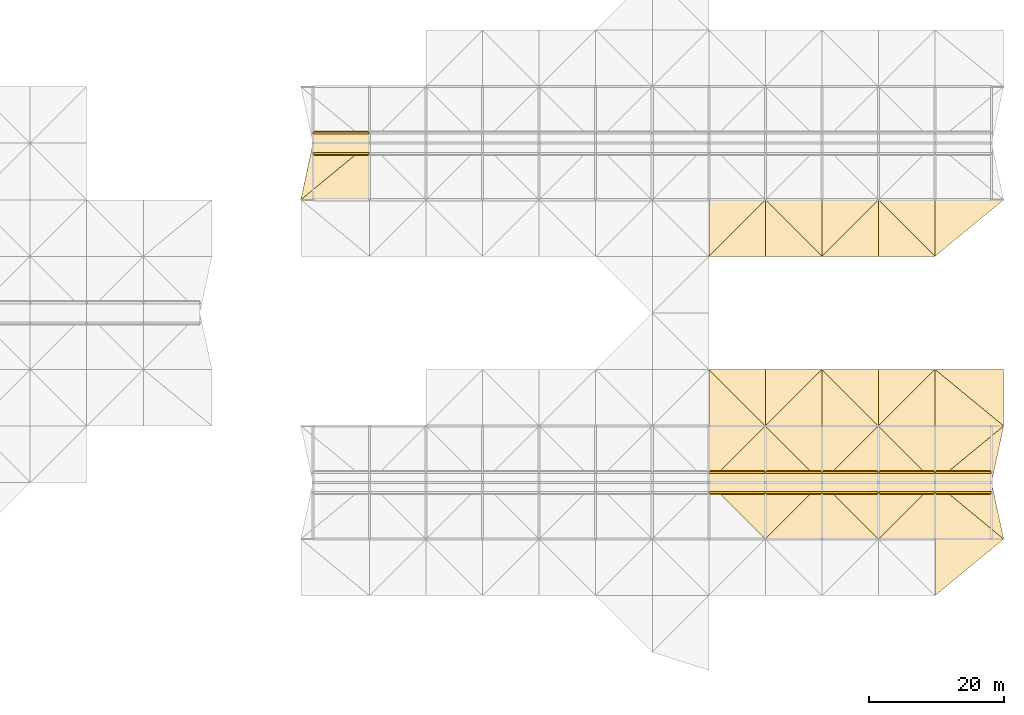
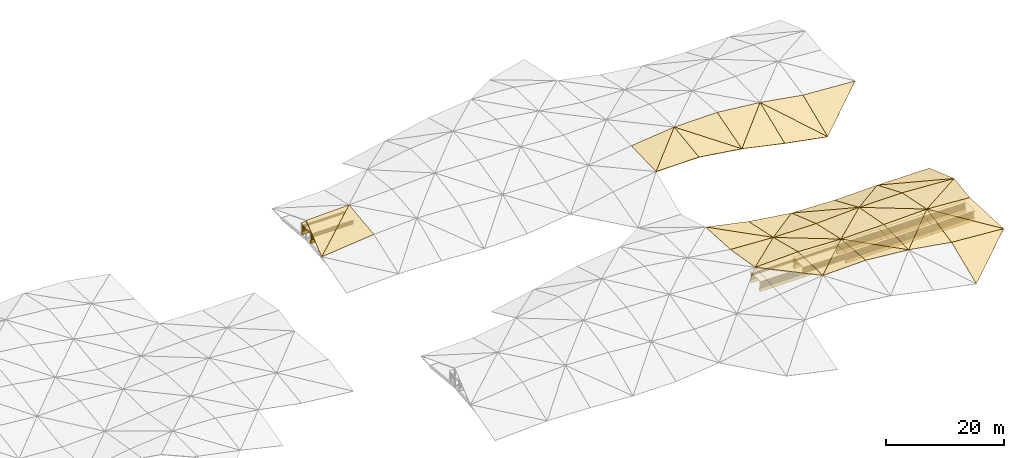
# One storey, part 44 of 46: 59 coverings, 48 shading devices.
"""IFC4 building model written with IfcOpenShell, lengths in metres."""

import ifcopenshell
import ifcopenshell.guid

model = None  # the IFC model being written
_history = None  # IfcOwnerHistory: only IFC2X3 demands one
_inside = {}  # id of a spatial element -> (the spatial element, [elements in it])
_under = {}  # id of a project, library or spatial element -> (it, [spatial elements below it])
_declared = {}  # id of a project -> (the project, [libraries it declares])
_typed = {}  # id of a type object -> (the type object, [elements of that type])
_made_of = {}  # id of a material, layer set ... -> (it, [elements and type objects made of it])


def new_model(schema):
    """Start an empty IFC model of exactly this schema.

    Asked for "IFC4X3", IfcOpenShell would pick the latest addendum, in which some entities
    have other attributes; the version numbers below select the first issue.
    IFC2X3 requires an IfcOwnerHistory on every rooted entity: one is made here for all.
    """
    global model, _history
    if schema == "IFC4X3":
        model = ifcopenshell.file(schema_version=(4, 3, 0, 0))
    else:
        model = ifcopenshell.file(schema=schema)
    _inside.clear()
    _under.clear()
    _declared.clear()
    _typed.clear()
    _made_of.clear()
    _history = None
    if model.schema == "IFC2X3":
        org = make("IfcOrganization", Name="unknown")
        user = make(
            "IfcPersonAndOrganization",
            ThePerson=make("IfcPerson", FamilyName="unknown"),
            TheOrganization=org,
        )
        app = make(
            "IfcApplication",
            ApplicationDeveloper=org,
            Version="unknown",
            ApplicationFullName="unknown",
            ApplicationIdentifier="unknown",
        )
        _history = make(
            "IfcOwnerHistory",
            OwningUser=user,
            OwningApplication=app,
            ChangeAction="ADDED",
            CreationDate=0,
        )
    return model


def make(cls, **values):
    """One entity of the class cls with the attributes given. An attribute that is None is left unset."""
    return model.create_entity(
        cls, **{name: value for name, value in values.items() if value is not None}
    )


def rooted(cls, **values):
    """An entity with a GlobalId (a new one), such as an element, a storey or a relation."""
    return make(cls, GlobalId=ifcopenshell.guid.new(), OwnerHistory=_history, **values)


def si_unit(unit_type, name, prefix=None):
    """IfcSIUnit, for example si_unit("LENGTHUNIT", "METRE", prefix="MILLI")."""
    return make("IfcSIUnit", UnitType=unit_type, Prefix=prefix, Name=name)


def assignment(units):
    """IfcUnitAssignment: the units of a project."""
    return None if units is None else make("IfcUnitAssignment", Units=units)


def point(xyz):
    """IfcCartesianPoint."""
    return None if xyz is None else make("IfcCartesianPoint", Coordinates=xyz)


def direction(xyz):
    """IfcDirection."""
    return None if xyz is None else make("IfcDirection", DirectionRatios=xyz)


def frame(location, z_axis=None, x_axis=None):
    """IfcAxis2Placement3D, a coordinate frame: its origin and axes. An axis left out is left unset."""
    return make(
        "IfcAxis2Placement3D",
        Location=point(location),
        Axis=direction(z_axis),
        RefDirection=direction(x_axis),
    )


def frame_2d(location, x_axis=None):
    """IfcAxis2Placement2D, a coordinate frame in the plane: its origin and x axis."""
    return make(
        "IfcAxis2Placement2D", Location=point(location), RefDirection=direction(x_axis)
    )


def origin():
    """The frame at (0, 0, 0) with its axes left unset."""
    return frame((0.0, 0.0, 0.0))


def origin_2d():
    """The frame at (0, 0) in the plane with its x axis left unset."""
    return frame_2d((0.0, 0.0))


def place(relative_to, where):
    """IfcLocalPlacement: puts the frame where relative to a parent placement (None: the world)."""
    return make(
        "IfcLocalPlacement", PlacementRelTo=relative_to, RelativePlacement=where
    )


def context(
    kind, dimensions, precision=None, world=None, true_north=None, identifier=None
):
    """IfcGeometricRepresentationContext, for example the 3D "Model" context."""
    return make(
        "IfcGeometricRepresentationContext",
        ContextIdentifier=identifier,
        ContextType=kind,
        CoordinateSpaceDimension=dimensions,
        Precision=precision,
        WorldCoordinateSystem=world,
        TrueNorth=true_north,
    )


def subcontext(parent, identifier, kind, view, scale=None):
    """IfcGeometricRepresentationSubContext, for example "Body" below "Model"."""
    return make(
        "IfcGeometricRepresentationSubContext",
        ContextIdentifier=identifier,
        ContextType=kind,
        ParentContext=parent,
        TargetScale=scale,
        TargetView=view,
    )


def project(units=None, contexts=None):
    """IfcProject with its units and contexts."""
    return rooted(
        "IfcProject",
        Name="project",
        RepresentationContexts=contexts,
        UnitsInContext=assignment(units),
    )


def spatial(cls, under=None, at=None, **own):
    """A site, building, storey or space (cls), placed at a placement, below another one or the project."""
    s = rooted(cls, ObjectPlacement=at, **own)
    if under is not None:
        _under.setdefault(under.id(), (under, []))[1].append(s)
    return s


def polyline(points):
    """IfcPolyline through the points."""
    return make("IfcPolyline", Points=[point(p) for p in points])


def profile(cls, at=None, kind="AREA", **sizes):
    """A parametric profile (cls). Its sizes go by their IFC names, for example OverallWidth=200.0."""
    return make(cls, ProfileType=kind, Position=at, **sizes)


def rectangle(**sizes):
    """IfcRectangleProfileDef."""
    return profile("IfcRectangleProfileDef", **sizes)


def outline(outer, holes=None, kind="AREA"):
    """IfcArbitraryClosedProfileDef: a profile drawn as a closed curve; with holes, ...WithVoids."""
    if holes is None:
        return make("IfcArbitraryClosedProfileDef", ProfileType=kind, OuterCurve=outer)
    return make(
        "IfcArbitraryProfileDefWithVoids",
        ProfileType=kind,
        OuterCurve=outer,
        InnerCurves=holes,
    )


def extrude(swept, where, along, depth):
    """IfcExtrudedAreaSolid: the profile swept, set in the frame where, extruded along a direction by depth."""
    return make(
        "IfcExtrudedAreaSolid",
        SweptArea=swept,
        Position=where,
        ExtrudedDirection=direction(along),
        Depth=depth,
    )


def shape(context_of_items, identifier, shape_type, items):
    """IfcShapeRepresentation: the items that make up one representation, for example the "Body"."""
    return make(
        "IfcShapeRepresentation",
        ContextOfItems=context_of_items,
        RepresentationIdentifier=identifier,
        RepresentationType=shape_type,
        Items=items,
    )


def material(Name=None, Category=None):
    """IfcMaterial."""
    return make("IfcMaterial", Name=Name, Category=Category)


def layer(
    of_material, thickness, ventilated=None, Name=None, Category=None, Priority=None
):
    """IfcMaterialLayer: one layer of a wall or slab, of a material (None: an air gap)."""
    return make(
        "IfcMaterialLayer",
        Material=of_material,
        LayerThickness=thickness,
        IsVentilated=ventilated,
        Name=Name,
        Category=Category,
        Priority=Priority,
    )


def layer_set(layers, Name=None):
    """IfcMaterialLayerSet."""
    return make("IfcMaterialLayerSet", MaterialLayers=layers, LayerSetName=Name)


def made_of(thing, what):
    """Note that an element or type object is made of a material, layer set ...; save() writes the relation."""
    if what is not None:
        _made_of.setdefault(what.id(), (what, []))[1].append(thing)
    return thing


def type_object(cls, material=None, **own):
    """A type object (cls), such as IfcWallType, which elements share."""
    return made_of(rooted(cls, **own), material)


def element(
    cls,
    number,
    at=None,
    inside=None,
    cuts=None,
    type_object=None,
    material=None,
    context=None,
    identifier="Body",
    shape_type=None,
    held_by="IfcProductDefinitionShape",
    body=None,
    shapes=None,
    **own,
):
    """One element of the class cls, such as IfcWall. Its Tag is "e" and its number.

    at: its placement. inside: the storey or other place that contains it. cuts: it is an
    opening in that element (IfcRelVoidsElement). A single representation is given by context,
    identifier, shape_type and body (its items); several are given by shapes. held_by: the class
    of the entity that holds the representations. save() writes the other relations.
    """
    e = rooted(cls, Tag="e%d" % number, ObjectPlacement=at, **own)
    if body is not None:
        shapes = [shape(context, identifier, shape_type, body)]
    if shapes is not None:
        e.Representation = make(held_by, Representations=shapes)
    if inside is not None:
        _inside.setdefault(inside.id(), (inside, []))[1].append(e)
    if cuts is not None:
        rooted(
            "IfcRelVoidsElement", RelatingBuildingElement=cuts, RelatedOpeningElement=e
        )
    if type_object is not None:
        _typed.setdefault(type_object.id(), (type_object, []))[1].append(e)
    return made_of(e, material)


def aggregate(whole, parts):
    """IfcRelAggregates: a whole, such as a stair, and the parts it consists of."""
    return rooted("IfcRelAggregates", RelatingObject=whole, RelatedObjects=parts)


def save(model, path):
    """Write the relations noted so far, then the file.

    IfcRelAggregates (storeys below a building ...), IfcRelContainedInSpatialStructure (elements
    in a storey), IfcRelDefinesByType, IfcRelAssociatesMaterial and IfcRelDeclares: one each for
    every whole, place, type object, material and project.
    """
    for whole, parts in _under.values():
        aggregate(whole, parts)
    for where, things in _inside.values():
        rooted(
            "IfcRelContainedInSpatialStructure",
            RelatedElements=things,
            RelatingStructure=where,
        )
    for kind, things in _typed.values():
        rooted("IfcRelDefinesByType", RelatedObjects=things, RelatingType=kind)
    for what, things in _made_of.values():
        rooted("IfcRelAssociatesMaterial", RelatedObjects=things, RelatingMaterial=what)
    for by, libraries in _declared.values():
        rooted("IfcRelDeclares", RelatingContext=by, RelatedDefinitions=libraries)
    model.write(path)


model = new_model("IFC4")

# Units and contexts
model_context = context("Model", 3, precision=1e-05, world=origin(), true_north=direction((0.0, 1.0)))
body_context = subcontext(model_context, "Body", "Model", "MODEL_VIEW")
ifc_project = project(units=[si_unit("LENGTHUNIT", "METRE"), si_unit("AREAUNIT", "SQUARE_METRE"), si_unit("VOLUMEUNIT", "CUBIC_METRE"), si_unit("PLANEANGLEUNIT", "RADIAN"), si_unit("MASSUNIT", "GRAM", prefix="KILO")], contexts=[model_context])

# Site, building, storey
site_placement = place(None, origin())
site = spatial("IfcSite", under=ifc_project, at=site_placement, CompositionType="ELEMENT")
building_placement = place(site_placement, origin())
building = spatial("IfcBuilding", under=site, at=building_placement, Name="Rain Tree Exposition and Congress Centre", CompositionType="ELEMENT")
storey_placement = place(building_placement, frame((0.0, 0.0, 27.0)))
storey = spatial("IfcBuildingStorey", under=building, at=storey_placement, Name="ROOF VAULT CREST", CompositionType="ELEMENT", Elevation=27.0)

# Shading devices
ifc_material_1 = material(Name="Aluminium", Category="aluminium")
ifc_layer_1 = layer(ifc_material_1, 0.0400390625)
ifc_layer_set_1 = layer_set([ifc_layer_1], Name="Aluminium")
shading_device_type = type_object("IfcShadingDeviceType", Name="Lantern louvre blade 40", PredefinedType="JALOUSIE", material=ifc_layer_set_1)
for number, where, z_axis, x_axis, name in (
    (1, (205.800048828125, 124.5, 2.14990234375), (0.0, 0.0, 1.0), (1.0, 0.0, 0.0), "Lantern louvre S7.1"),
    (2, (205.800048828125, 124.5, 2.469970703125), (0.0, 0.0, 1.0), (1.0, 0.0, 0.0), "Lantern louvre S7.2"),
    (3, (205.800048828125, 124.5, 2.7900390625), (0.0, 0.0, 1.0), (1.0, 0.0, 0.0), "Lantern louvre S7.3"),
    (4, (205.800048828125, 124.5, 3.10986328125), (0.0, 0.0, 1.0), (1.0, 0.0, 0.0), "Lantern louvre S7.4"),
    (5, (214.199951171875, 124.5, 2.14990234375), (0.0, 0.0, 1.0), (1.0, 0.0, 0.0), "Lantern louvre S8.1"),
    (6, (214.199951171875, 124.5, 2.469970703125), (0.0, 0.0, 1.0), (1.0, 0.0, 0.0), "Lantern louvre S8.2"),
    (7, (214.199951171875, 124.5, 2.7900390625), (0.0, 0.0, 1.0), (1.0, 0.0, 0.0), "Lantern louvre S8.3"),
    (8, (214.199951171875, 124.5, 3.10986328125), (0.0, 0.0, 1.0), (1.0, 0.0, 0.0), "Lantern louvre S8.4"),
    (9, (222.60009765625, 124.5, 2.14990234375), (0.0, 0.0, 1.0), (1.0, 0.0, 0.0), "Lantern louvre S9.1"),
    (10, (222.60009765625, 124.5, 2.469970703125), (0.0, 0.0, 1.0), (1.0, 0.0, 0.0), "Lantern louvre S9.2"),
    (11, (222.60009765625, 124.5, 2.7900390625), (0.0, 0.0, 1.0), (1.0, 0.0, 0.0), "Lantern louvre S9.3"),
    (12, (222.60009765625, 124.5, 3.10986328125), (0.0, 0.0, 1.0), (1.0, 0.0, 0.0), "Lantern louvre S9.4"),
    (13, (231.0, 124.5, 2.14990234375), (0.0, 0.0, 1.0), (1.0, 0.0, 0.0), "Lantern louvre S10.1"),
    (14, (231.0, 124.5, 2.469970703125), (0.0, 0.0, 1.0), (1.0, 0.0, 0.0), "Lantern louvre S10.2"),
    (15, (231.0, 124.5, 2.7900390625), (0.0, 0.0, 1.0), (1.0, 0.0, 0.0), "Lantern louvre S10.3"),
    (16, (231.0, 124.5, 3.10986328125), (0.0, 0.0, 1.0), (1.0, 0.0, 0.0), "Lantern louvre S10.4"),
    (17, (239.39990234375, 124.5, 2.14990234375), (0.0, 0.0, 1.0), (1.0, 0.0, 0.0), "Lantern louvre S11.1"),
    (18, (239.39990234375, 124.5, 2.469970703125), (0.0, 0.0, 1.0), (1.0, 0.0, 0.0), "Lantern louvre S11.2"),
    (19, (239.39990234375, 124.5, 2.7900390625), (0.0, 0.0, 1.0), (1.0, 0.0, 0.0), "Lantern louvre S11.3"),
    (20, (239.39990234375, 124.5, 3.10986328125), (0.0, 0.0, 1.0), (1.0, 0.0, 0.0), "Lantern louvre S11.4"),
    (21, (205.800048828125, 127.5, 2.14990234375), (0.0, 0.0, 1.0), (1.0, 0.0, 0.0), "Lantern louvre N7.1"),
    (22, (205.800048828125, 127.5, 2.469970703125), (0.0, 0.0, 1.0), (1.0, 0.0, 0.0), "Lantern louvre N7.2"),
    (23, (205.800048828125, 127.5, 2.7900390625), (0.0, 0.0, 1.0), (1.0, 0.0, 0.0), "Lantern louvre N7.3"),
    (24, (205.800048828125, 127.5, 3.10986328125), (0.0, 0.0, 1.0), (1.0, 0.0, 0.0), "Lantern louvre N7.4"),
    (25, (214.199951171875, 127.5, 2.14990234375), (0.0, 0.0, 1.0), (1.0, 0.0, 0.0), "Lantern louvre N8.1"),
    (26, (214.199951171875, 127.5, 2.469970703125), (0.0, 0.0, 1.0), (1.0, 0.0, 0.0), "Lantern louvre N8.2"),
    (27, (214.199951171875, 127.5, 2.7900390625), (0.0, 0.0, 1.0), (1.0, 0.0, 0.0), "Lantern louvre N8.3"),
    (28, (214.199951171875, 127.5, 3.10986328125), (0.0, 0.0, 1.0), (1.0, 0.0, 0.0), "Lantern louvre N8.4"),
    (29, (222.60009765625, 127.5, 2.14990234375), (0.0, 0.0, 1.0), (1.0, 0.0, 0.0), "Lantern louvre N9.1"),
    (30, (222.60009765625, 127.5, 2.469970703125), (0.0, 0.0, 1.0), (1.0, 0.0, 0.0), "Lantern louvre N9.2"),
    (31, (222.60009765625, 127.5, 2.7900390625), (0.0, 0.0, 1.0), (1.0, 0.0, 0.0), "Lantern louvre N9.3"),
    (32, (222.60009765625, 127.5, 3.10986328125), (0.0, 0.0, 1.0), (1.0, 0.0, 0.0), "Lantern louvre N9.4"),
    (33, (231.0, 127.5, 2.14990234375), (0.0, 0.0, 1.0), (1.0, 0.0, 0.0), "Lantern louvre N10.1"),
    (34, (231.0, 127.5, 2.469970703125), (0.0, 0.0, 1.0), (1.0, 0.0, 0.0), "Lantern louvre N10.2"),
    (35, (231.0, 127.5, 2.7900390625), (0.0, 0.0, 1.0), (1.0, 0.0, 0.0), "Lantern louvre N10.3"),
    (36, (231.0, 127.5, 3.10986328125), (0.0, 0.0, 1.0), (1.0, 0.0, 0.0), "Lantern louvre N10.4"),
    (37, (239.39990234375, 127.5, 2.14990234375), (0.0, 0.0, 1.0), (1.0, 0.0, 0.0), "Lantern louvre N11.1"),
    (38, (239.39990234375, 127.5, 2.469970703125), (0.0, 0.0, 1.0), (1.0, 0.0, 0.0), "Lantern louvre N11.2"),
    (39, (239.39990234375, 127.5, 2.7900390625), (0.0, 0.0, 1.0), (1.0, 0.0, 0.0), "Lantern louvre N11.3"),
    (40, (239.39990234375, 127.5, 3.10986328125), (0.0, 0.0, 1.0), (1.0, 0.0, 0.0), "Lantern louvre N11.4"),
    (41, (147.0, 174.89990234375, 2.14990234375), (0.0, 0.0, 1.0), (1.0, 0.0, 0.0), "Lantern louvre SR1-0.1"),
    (42, (147.0, 174.89990234375, 2.469970703125), (0.0, 0.0, 1.0), (1.0, 0.0, 0.0), "Lantern louvre SR1-0.2"),
    (43, (147.0, 174.89990234375, 2.7900390625), (0.0, 0.0, 1.0), (1.0, 0.0, 0.0), "Lantern louvre SR1-0.3"),
    (44, (147.0, 174.89990234375, 3.10986328125), (0.0, 0.0, 1.0), (1.0, 0.0, 0.0), "Lantern louvre SR1-0.4"),
    (45, (147.0, 177.89990234375, 2.14990234375), (0.0, 0.0, 1.0), (1.0, 0.0, 0.0), "Lantern louvre NR1-0.1"),
    (46, (147.0, 177.89990234375, 2.469970703125), (0.0, 0.0, 1.0), (1.0, 0.0, 0.0), "Lantern louvre NR1-0.2"),
    (47, (147.0, 177.89990234375, 2.7900390625), (0.0, 0.0, 1.0), (1.0, 0.0, 0.0), "Lantern louvre NR1-0.3"),
    (48, (147.0, 177.89990234375, 3.10986328125), (0.0, 0.0, 1.0), (1.0, 0.0, 0.0), "Lantern louvre NR1-0.4"),
):
    element("IfcShadingDevice", number, at=place(storey_placement, frame(where, z_axis=z_axis, x_axis=x_axis)), inside=storey, type_object=shading_device_type, Name=name, PredefinedType="JALOUSIE", context=body_context, shape_type="SweptSolid", body=[
        extrude(rectangle(XDim=8.300048828125, YDim=0.300048828125, at=origin_2d()), origin(), (0.0, 0.0, 1.0), 0.0400390625),
    ])

# Coverings
ifc_material_2 = material(Name="Aluminium composite", Category="aluminium")
ifc_layer_2 = layer(ifc_material_2, 0.1201171875)
ifc_layer_set_2 = layer_set([ifc_layer_2], Name="Aluminium composite")
covering_type_1 = type_object("IfcCoveringType", Name="Ridge lantern cap 120", PredefinedType="CLADDING", material=ifc_layer_set_2)
for number, where, z_axis, x_axis, name in (
    (49, (205.800048828125, 126.0, 3.3798828125), (0.0, 0.0, 1.0), (1.0, 0.0, 0.0), "Lantern cap 7"),
    (50, (214.199951171875, 126.0, 3.3798828125), (0.0, 0.0, 1.0), (1.0, 0.0, 0.0), "Lantern cap 8"),
    (51, (222.60009765625, 126.0, 3.3798828125), (0.0, 0.0, 1.0), (1.0, 0.0, 0.0), "Lantern cap 9"),
    (52, (231.0, 126.0, 3.3798828125), (0.0, 0.0, 1.0), (1.0, 0.0, 0.0), "Lantern cap 10"),
    (53, (239.39990234375, 126.0, 3.3798828125), (0.0, 0.0, 1.0), (1.0, 0.0, 0.0), "Lantern cap 11"),
    (54, (147.0, 176.39990234375, 3.3798828125), (0.0, 0.0, 1.0), (1.0, 0.0, 0.0), "Lantern cap R1-0"),
):
    element("IfcCovering", number, at=place(storey_placement, frame(where, z_axis=z_axis, x_axis=x_axis)), inside=storey, type_object=covering_type_1, Name=name, PredefinedType="CLADDING", context=body_context, shape_type="SweptSolid", body=[
        extrude(rectangle(XDim=8.39990234375, YDim=3.60009765625, at=origin_2d()), origin(), (0.0, 0.0, 1.0), 0.1201171875),
    ])
ifc_material_3 = material(Name="Precast concrete C50/60", Category="concrete")
ifc_layer_3 = layer(ifc_material_3, 0.300048828125)
ifc_layer_set_3 = layer_set([ifc_layer_3], Name="Precast concrete C50/60")
covering_type_2 = type_object("IfcCoveringType", Name="Ridge lantern kerb 300", PredefinedType="CLADDING", material=ifc_layer_set_3)
for number, where, z_axis, x_axis, name in (
    (55, (205.800048828125, 124.5, 1.2998046875), (0.0, 0.0, 1.0), (1.0, 0.0, 0.0), "Lantern kerb S7"),
    (56, (214.199951171875, 124.5, 1.2998046875), (0.0, 0.0, 1.0), (1.0, 0.0, 0.0), "Lantern kerb S8"),
    (57, (222.60009765625, 124.5, 1.2998046875), (0.0, 0.0, 1.0), (1.0, 0.0, 0.0), "Lantern kerb S9"),
    (58, (231.0, 124.5, 1.2998046875), (0.0, 0.0, 1.0), (1.0, 0.0, 0.0), "Lantern kerb S10"),
    (59, (239.39990234375, 124.5, 1.2998046875), (0.0, 0.0, 1.0), (1.0, 0.0, 0.0), "Lantern kerb S11"),
    (60, (205.800048828125, 127.5, 1.2998046875), (0.0, 0.0, 1.0), (1.0, 0.0, 0.0), "Lantern kerb N7"),
    (61, (214.199951171875, 127.5, 1.2998046875), (0.0, 0.0, 1.0), (1.0, 0.0, 0.0), "Lantern kerb N8"),
    (62, (222.60009765625, 127.5, 1.2998046875), (0.0, 0.0, 1.0), (1.0, 0.0, 0.0), "Lantern kerb N9"),
    (63, (231.0, 127.5, 1.2998046875), (0.0, 0.0, 1.0), (1.0, 0.0, 0.0), "Lantern kerb N10"),
    (64, (239.39990234375, 127.5, 1.2998046875), (0.0, 0.0, 1.0), (1.0, 0.0, 0.0), "Lantern kerb N11"),
    (65, (147.0, 174.89990234375, 1.2998046875), (0.0, 0.0, 1.0), (1.0, 0.0, 0.0), "Lantern kerb SR1-0"),
    (66, (147.0, 177.89990234375, 1.2998046875), (0.0, 0.0, 1.0), (1.0, 0.0, 0.0), "Lantern kerb NR1-0"),
):
    element("IfcCovering", number, at=place(storey_placement, frame(where, z_axis=z_axis, x_axis=x_axis)), inside=storey, type_object=covering_type_2, Name=name, PredefinedType="CLADDING", context=body_context, shape_type="SweptSolid", body=[
        extrude(rectangle(XDim=8.39990234375, YDim=0.300048828125, at=origin_2d()), origin(), (0.0, 0.0, 1.0), 0.699951171875),
    ])
ifc_material_4 = material(Name="Aluminium composite cladding", Category="aluminium")
ifc_layer_4 = layer(ifc_material_4, 0.10009765625)
ifc_layer_set_4 = layer_set([ifc_layer_4], Name="Aluminium composite cladding")
covering_type_3 = type_object("IfcCoveringType", Name="Triangular aluminium roof skin facet 100", PredefinedType="CLADDING", material=ifc_layer_set_4)
covering_1_placement = place(storey_placement, frame((235.199951171875, 109.199951171875, 0.384033203125), z_axis=(0.066973056181, -0.385158898869, 0.920416879663), x_axis=(0.755467562643, 0.622163585243, 0.205380707449)))
element("IfcCovering", 67, at=covering_1_placement, inside=storey, type_object=covering_type_3, Name="Roof skin facet B48", PredefinedType="CLADDING", context=body_context, shape_type="SweptSolid", body=[
    extrude(outline(polyline([(0.0, 0.0), (13.50150777644327, -6.661338147750939e-16), (5.948206519358914, 6.894743382716889), (0.0, 0.0)])), origin(), (0.0, 0.0, -1.0), 0.10009765625),
])
covering_2_placement = place(storey_placement, frame((210.0, 117.60009765625, 5.8515625), z_axis=(-0.032963387984, 0.020765482298, 0.999240816719), x_axis=(0.0, 0.999784139549, -0.020776773231)))
element("IfcCovering", 68, at=covering_2_placement, inside=storey, type_object=covering_type_3, Name="Roof skin facet B64", PredefinedType="CLADDING", context=body_context, shape_type="SweptSolid", body=[
    extrude(outline(polyline([(0.0, 0.0), (8.401715941940791, 0.0), (8.407473177687109, 8.404469669901191), (0.0, 0.0)])), origin(), (0.0, 0.0, -1.0), 0.10009765625),
])
covering_3_placement = place(storey_placement, frame((210.0, 117.60009765625, 5.8515625), z_axis=(-0.024812612161, 0.08405019032, 0.996152548451), x_axis=(0.99968992893, 0.0, 0.024900722813)))
element("IfcCovering", 69, at=covering_3_placement, inside=storey, type_object=covering_type_3, Name="Roof skin facet B65", PredefinedType="CLADDING", context=body_context, shape_type="SweptSolid", body=[
    extrude(outline(polyline([(0.0, 0.0), (8.402507718311682, 3.469446951953614e-18), (8.384859574189322, 8.42973075770322), (0.0, 0.0)])), origin(), (0.0, 0.0, -1.0), 0.10009765625),
])
covering_4_placement = place(storey_placement, frame((210.0, 117.60009765625, 5.8515625), z_axis=(0.038647866761, 0.02076125074, 0.999037192933), x_axis=(0.706482482458, 0.706482482458, -0.042011950215)))
element("IfcCovering", 70, at=covering_4_placement, inside=storey, type_object=covering_type_3, Name="Roof skin facet B66", PredefinedType="CLADDING", context=body_context, shape_type="SweptSolid", body=[
    extrude(outline(polyline([(0.0, 0.0), (11.889753181889105, -4.0419056990259605e-16), (5.941717489219378, 5.940103033396529), (0.0, 0.0)])), origin(), (0.0, 0.0, -1.0), 0.10009765625),
])
covering_5_placement = place(storey_placement, frame((218.39990234375, 117.60009765625, 6.060791015625), z_axis=(0.0921652327, 0.083718224954, 0.99221813564), x_axis=(0.99571362068, 0.0, -0.092489921577)))
element("IfcCovering", 71, at=covering_5_placement, inside=storey, type_object=covering_type_3, Name="Roof skin facet B67", PredefinedType="CLADDING", context=body_context, shape_type="SweptSolid", body=[
    extrude(outline(polyline([(0.0, 0.0), (8.436307699238201, 0.0), (0.06555132869564179, 8.429494357769327), (0.0, 0.0)])), origin(), (0.0, 0.0, -1.0), 0.10009765625),
])
covering_6_placement = place(storey_placement, frame((226.800048828125, 117.60009765625, 5.280517578125), z_axis=(-0.008572269936, -0.0170869194, 0.99981725999), x_axis=(0.0, 0.999853997206, 0.017087547241)))
element("IfcCovering", 72, at=covering_6_placement, inside=storey, type_object=covering_type_3, Name="Roof skin facet B68", PredefinedType="CLADDING", context=body_context, shape_type="SweptSolid", body=[
    extrude(outline(polyline([(0.0, 0.0), (8.401128932044786, 2.168404344971009e-19), (8.399898261528197, 8.40045513877786), (0.0, 0.0)])), origin(), (0.0, 0.0, -1.0), 0.10009765625),
])
covering_7_placement = place(storey_placement, frame((226.800048828125, 117.60009765625, 5.280517578125), z_axis=(0.15884153592, -0.204433380093, 0.965907013936), x_axis=(0.98674662963, 0.0, -0.16226857032)))
element("IfcCovering", 73, at=covering_7_placement, inside=storey, type_object=covering_type_3, Name="Roof skin facet B69", PredefinedType="CLADDING", context=body_context, shape_type="SweptSolid", body=[
    extrude(outline(polyline([(0.0, 0.0), (8.512724636211612, 5.551115123125783e-17), (8.224238374230717, 8.581131731451483), (0.0, 0.0)])), origin(), (0.0, 0.0, -1.0), 0.10009765625),
])
covering_8_placement = place(storey_placement, frame((226.800048828125, 117.60009765625, 5.280517578125), z_axis=(-0.030092995657, -0.017079808346, 0.999401166579), x_axis=(0.706713261891, 0.706713261891, 0.033357621848)))
element("IfcCovering", 74, at=covering_8_placement, inside=storey, type_object=covering_type_3, Name="Roof skin facet B70", PredefinedType="CLADDING", context=body_context, shape_type="SweptSolid", body=[
    extrude(outline(polyline([(0.0, 0.0), (11.88587054568123, 1.117595599398058e-15), (5.941111027895789, 5.939879383207626), (0.0, 0.0)])), origin(), (0.0, 0.0, -1.0), 0.10009765625),
])
covering_9_placement = place(storey_placement, frame((235.199951171875, 117.60009765625, 3.899169921875), z_axis=(0.071007185041, -0.206539557786, 0.975858284149), x_axis=(0.997363178643, 0.0, -0.0725719635)))
element("IfcCovering", 75, at=covering_9_placement, inside=storey, type_object=covering_type_3, Name="Roof skin facet B71", PredefinedType="CLADDING", context=body_context, shape_type="SweptSolid", body=[
    extrude(outline(polyline([(0.0, 0.0), (10.22691772694933, 5.551115123125783e-17), (-0.129020761281411, 8.585010178155507), (0.0, 0.0)])), origin(), (0.0, 0.0, -1.0), 0.10009765625),
])
covering_10_placement = place(storey_placement, frame((245.39990234375, 117.60009765625, 3.156982421875), z_axis=(0.064302164692, -0.214317488493, 0.974645189667), x_axis=(-0.204230592584, 0.953168443902, 0.223069008612)))
element("IfcCovering", 76, at=covering_10_placement, inside=storey, type_object=covering_type_3, Name="Roof skin facet B72", PredefinedType="CLADDING", context=body_context, shape_type="SweptSolid", body=[
    extrude(outline(polyline([(0.0, 0.0), (8.812610611999222, -2.5673907444456745e-16), (10.651802176594881, 8.215045472895506), (0.0, 0.0)])), origin(), (0.0, 0.0, -1.0), 0.10009765625),
])
covering_11_placement = place(storey_placement, frame((201.60009765625, 126.0, 5.39990234375), z_axis=(-0.031958186529, 0.245895015825, 0.968769485227), x_axis=(0.999456325364, 0.0, 0.032970497276)))
element("IfcCovering", 77, at=covering_11_placement, inside=storey, type_object=covering_type_3, Name="Roof skin facet B87", PredefinedType="CLADDING", context=body_context, shape_type="SweptSolid", body=[
    extrude(outline(polyline([(0.0, 0.0), (8.40447164181381, 0.0), (8.334175901405178, 8.665978499451441), (0.0, 0.0)])), origin(), (0.0, 0.0, -1.0), 0.10009765625),
])
covering_12_placement = place(storey_placement, frame((201.60009765625, 126.0, 5.39990234375), z_axis=(0.051693306526, 0.165784956477, 0.984806148573), x_axis=(0.698640350891, 0.698640350891, -0.154283246703)))
element("IfcCovering", 78, at=covering_12_placement, inside=storey, type_object=covering_type_3, Name="Roof skin facet B88", PredefinedType="CLADDING", context=body_context, shape_type="SweptSolid", body=[
    extrude(outline(polyline([(0.0, 0.0), (12.023213851068169, 7.494005416219807e-16), (6.086676874430454, 5.959051666558742), (0.0, 0.0)])), origin(), (0.0, 0.0, -1.0), 0.10009765625),
])
covering_13_placement = place(storey_placement, frame((210.0, 126.0, 5.677001953125), z_axis=(0.037469778608, 0.245847916291, 0.968583923956), x_axis=(0.999252569827, 0.0, -0.038656198641)))
element("IfcCovering", 79, at=covering_13_placement, inside=storey, type_object=covering_type_3, Name="Roof skin facet B89", PredefinedType="CLADDING", context=body_context, shape_type="SweptSolid", body=[
    extrude(outline(polyline([(0.0, 0.0), (8.406185380339865, -1.3877787807814457e-17), (0.08241811101839505, 8.665871687202067), (0.0, 0.0)])), origin(), (0.0, 0.0, -1.0), 0.10009765625),
])
covering_14_placement = place(storey_placement, frame((218.39990234375, 126.0, 5.35205078125), z_axis=(0.008593431038, 0.218522726555, 0.975794020745), x_axis=(0.0, 0.975830052499, -0.218530795632)))
element("IfcCovering", 80, at=covering_14_placement, inside=storey, type_object=covering_type_3, Name="Roof skin facet B90", PredefinedType="CLADDING", context=body_context, shape_type="SweptSolid", body=[
    extrude(outline(polyline([(0.0, 0.0), (8.60795619302477, 0.0), (8.591790462781503, 8.400212514962622), (0.0, 0.0)])), origin(), (0.0, 0.0, -1.0), 0.10009765625),
])
covering_15_placement = place(storey_placement, frame((218.39990234375, 126.0, 5.35205078125), z_axis=(-0.008433189288, 0.180189616942, 0.983595741789), x_axis=(0.999963246688, 0.0, 0.008573521602)))
element("IfcCovering", 81, at=covering_15_placement, inside=storey, type_object=covering_type_3, Name="Roof skin facet B91", PredefinedType="CLADDING", context=body_context, shape_type="SweptSolid", body=[
    extrude(outline(polyline([(0.0, 0.0), (8.400455228924756, -1.734723475976807e-18), (8.387262136478517, 8.539680747545425), (0.0, 0.0)])), origin(), (0.0, 0.0, -1.0), 0.10009765625),
])
covering_16_placement = place(storey_placement, frame((218.39990234375, 126.0, 5.35205078125), z_axis=(-0.048073617084, 0.218278129291, 0.974701793172), x_axis=(0.701787652384, 0.70176725573, -0.122543093426)))
element("IfcCovering", 82, at=covering_16_placement, inside=storey, type_object=covering_type_3, Name="Roof skin facet B92", PredefinedType="CLADDING", context=body_context, shape_type="SweptSolid", body=[
    extrude(outline(polyline([(0.0, 0.0), (11.969641323615516, 1.4432899320127035e-15), (6.125292660036109, 6.047950036991151), (0.0, 0.0)])), origin(), (0.0, 0.0, -1.0), 0.10009765625),
])
covering_17_placement = place(storey_placement, frame((226.800048828125, 126.0, 5.424072265625), z_axis=(-0.029605148831, 0.180117039657, 0.983199566308), x_axis=(0.999546971061, 0.0, 0.03009738598)))
element("IfcCovering", 83, at=covering_17_placement, inside=storey, type_object=covering_type_3, Name="Roof skin facet B93", PredefinedType="CLADDING", context=body_context, shape_type="SweptSolid", body=[
    extrude(outline(polyline([(0.0, 0.0), (8.403709467333792, -6.938893903907228e-18), (-0.04631441011483056, 8.539565346263359), (0.0, 0.0)])), origin(), (0.0, 0.0, -1.0), 0.10009765625),
])
covering_18_placement = place(storey_placement, frame((235.199951171875, 126.0, 5.677001953125), z_axis=(-0.007259035492, 0.201658852657, 0.979428922152), x_axis=(0.0, 0.979454727988, -0.201664165932)))
element("IfcCovering", 84, at=covering_18_placement, inside=storey, type_object=covering_type_3, Name="Roof skin facet B94", PredefinedType="CLADDING", context=body_context, shape_type="SweptSolid", body=[
    extrude(outline(polyline([(0.0, 0.0), (8.576100664705393, -1.734723475976807e-18), (8.588655440660657, 8.400123663028063), (0.0, 0.0)])), origin(), (0.0, 0.0, -1.0), 0.10009765625),
])
covering_19_placement = place(storey_placement, frame((235.199951171875, 126.0, 5.677001953125), z_axis=(0.064594349612, 0.192981447103, 0.97907391502), x_axis=(0.997830732242, 0.0, -0.065831829633)))
element("IfcCovering", 85, at=covering_19_placement, inside=storey, type_object=covering_type_3, Name="Roof skin facet B95", PredefinedType="CLADDING", context=body_context, shape_type="SweptSolid", body=[
    extrude(outline(polyline([(0.0, 0.0), (8.418408265997842, -2.7755575615628914e-17), (10.331121619480312, 8.560825263389699), (0.0, 0.0)])), origin(), (0.0, 0.0, -1.0), 0.10009765625),
])
covering_20_placement = place(storey_placement, frame((235.199951171875, 126.0, 5.677001953125), z_axis=(0.057435890315, 0.201331258057, 0.977837840868), x_axis=(0.760217655535, 0.626057317225, -0.173555039577)))
element("IfcCovering", 86, at=covering_20_placement, inside=storey, type_object=covering_type_3, Name="Roof skin facet B96", PredefinedType="CLADDING", context=body_context, shape_type="SweptSolid", body=[
    extrude(outline(polyline([(0.0, 0.0), (13.41714586291678, 5.551115123125783e-16), (5.55898241132731, 6.5304836851273045), (0.0, 0.0)])), origin(), (0.0, 0.0, -1.0), 0.10009765625),
])
covering_21_placement = place(storey_placement, frame((201.60009765625, 134.39990234375, 3.98583984375), z_axis=(0.052343442274, 0.053559174948, 0.997191846552), x_axis=(0.998625195951, 0.0, -0.052418679994)))
element("IfcCovering", 87, at=covering_21_placement, inside=storey, type_object=covering_type_3, Name="Roof skin facet B111", PredefinedType="CLADDING", context=body_context, shape_type="SweptSolid", body=[
    extrude(outline(polyline([(0.0, 0.0), (8.411466461902073, 3.469446951953614e-18), (0.023649834138094534, 8.412220735637762), (0.0, 0.0)])), origin(), (0.0, 0.0, -1.0), 0.10009765625),
])
covering_22_placement = place(storey_placement, frame((210.0, 134.39990234375, 3.544921875), z_axis=(0.20373425148, 0.204896943926, 0.957345077359), x_axis=(0.0, 0.977854372179, -0.209286470681)))
element("IfcCovering", 88, at=covering_22_placement, inside=storey, type_object=covering_type_3, Name="Roof skin facet B112", PredefinedType="CLADDING", context=body_context, shape_type="SweptSolid", body=[
    extrude(outline(polyline([(0.0, 0.0), (8.590385975015405, 0.0), (8.21626597054091, 8.579854252108206), (0.0, 0.0)])), origin(), (0.0, 0.0, -1.0), 0.10009765625),
])
covering_23_placement = place(storey_placement, frame((210.0, 134.39990234375, 3.544921875), z_axis=(0.008319293876, 0.327929894748, 0.944665429387), x_axis=(0.999961224123, 0.0, -0.008806262016)))
element("IfcCovering", 89, at=covering_23_placement, inside=storey, type_object=covering_type_3, Name="Roof skin facet B113", PredefinedType="CLADDING", context=body_context, shape_type="SweptSolid", body=[
    extrude(outline(polyline([(0.0, 0.0), (8.40022806996149, -3.469446951953614e-18), (8.425907267596866, 8.89184731442295), (0.0, 0.0)])), origin(), (0.0, 0.0, -1.0), 0.10009765625),
])
covering_24_placement = place(storey_placement, frame((210.0, 134.39990234375, 3.544921875), z_axis=(0.137462506159, 0.207299708125, 0.968571572168), x_axis=(0.685710056329, 0.685729986284, -0.244082167641)))
element("IfcCovering", 90, at=covering_24_placement, inside=storey, type_object=covering_type_3, Name="Roof skin facet B114", PredefinedType="CLADDING", context=body_context, shape_type="SweptSolid", body=[
    extrude(outline(polyline([(0.0, 0.0), (12.249933140436005, -1.942890293094024e-16), (6.199055839988503, 5.946968798677677), (0.0, 0.0)])), origin(), (0.0, 0.0, -1.0), 0.10009765625),
])
covering_25_placement = place(storey_placement, frame((218.39990234375, 134.39990234375, 3.470947265625), z_axis=(-0.046543300287, 0.327585844799, 0.943674327025), x_axis=(0.998785916355, 0.0, 0.04926147877)))
element("IfcCovering", 91, at=covering_25_placement, inside=storey, type_object=covering_type_3, Name="Roof skin facet B115", PredefinedType="CLADDING", context=body_context, shape_type="SweptSolid", body=[
    extrude(outline(polyline([(0.0, 0.0), (8.410357361695379, -2.7755575615628914e-17), (-0.143647241805219, 8.890724017430951), (0.0, 0.0)])), origin(), (0.0, 0.0, -1.0), 0.10009765625),
])
covering_26_placement = place(storey_placement, frame((226.800048828125, 134.39990234375, 3.88525390625), z_axis=(0.032139648866, 0.395971142796, 0.917700330742), x_axis=(0.0, 0.918174670757, -0.396175811958)))
element("IfcCovering", 92, at=covering_26_placement, inside=storey, type_object=covering_type_3, Name="Roof skin facet B116", PredefinedType="CLADDING", context=body_context, shape_type="SweptSolid", body=[
    extrude(outline(polyline([(0.0, 0.0), (9.148745605727255, 1.3877787807814457e-17), (9.032194860265855, 8.404488343559057), (0.0, 0.0)])), origin(), (0.0, 0.0, -1.0), 0.10009765625),
])
covering_27_placement = place(storey_placement, frame((226.800048828125, 134.39990234375, 3.88525390625), z_axis=(-0.006840322446, 0.384897780816, 0.922933859121), x_axis=(0.99997253598, 0.0, 0.007411294445)))
element("IfcCovering", 93, at=covering_27_placement, inside=storey, type_object=covering_type_3, Name="Roof skin facet B117", PredefinedType="CLADDING", context=body_context, shape_type="SweptSolid", body=[
    extrude(outline(polyline([(0.0, 0.0), (8.400133045170373, 3.469446951953614e-18), (8.374169992438091, 9.10131934111261), (0.0, 0.0)])), origin(), (0.0, 0.0, -1.0), 0.10009765625),
])
covering_28_placement = place(storey_placement, frame((226.800048828125, 134.39990234375, 3.88525390625), z_axis=(-0.020064185234, 0.39609605938, 0.917989836662), x_axis=(0.679179006842, 0.679198746974, -0.278217430751)))
element("IfcCovering", 94, at=covering_28_placement, inside=storey, type_object=covering_type_3, Name="Roof skin facet B118", PredefinedType="CLADDING", context=body_context, shape_type="SweptSolid", body=[
    extrude(outline(polyline([(0.0, 0.0), (12.367729654676362, -4.440892098500626e-16), (6.713771304707771, 6.214887048563012), (0.0, 0.0)])), origin(), (0.0, 0.0, -1.0), 0.10009765625),
])
covering_29_placement = place(storey_placement, frame((235.199951171875, 134.39990234375, 3.947509765625), z_axis=(0.054132739359, 0.384342415595, 0.921602166938), x_axis=(0.998279395558, 0.0, -0.058636579064)))
element("IfcCovering", 95, at=covering_29_placement, inside=storey, type_object=covering_type_3, Name="Roof skin facet B119", PredefinedType="CLADDING", context=body_context, shape_type="SweptSolid", body=[
    extrude(outline(polyline([(0.0, 0.0), (10.217531501963201, 2.7755575615628914e-17), (0.2054141291464925, 9.099038018634971), (0.0, 0.0)])), origin(), (0.0, 0.0, -1.0), 0.10009765625),
])
covering_30_placement = place(storey_placement, frame((245.39990234375, 134.39990234375, 3.348388671875), z_axis=(0.003659347054, 0.330703719624, 0.943727534305), x_axis=(0.0, 0.943733853012, -0.330705933844)))
element("IfcCovering", 96, at=covering_30_placement, inside=storey, type_object=covering_type_3, Name="Roof skin facet B120", PredefinedType="CLADDING", context=body_context, shape_type="SweptSolid", body=[
    extrude(outline(polyline([(0.0, 0.0), (8.900969757063415, -1.734723475976807e-18), (8.88789007901588, 10.200019465420342), (0.0, 0.0)])), origin(), (0.0, 0.0, -1.0), 0.10009765625),
])
covering_31_placement = place(storey_placement, frame((201.60009765625, 159.60009765625, 4.819580078125), z_axis=(-0.007373978134, -0.133278893855, 0.991051139397), x_axis=(0.999972320163, 0.0, 0.007440356739)))
element("IfcCovering", 97, at=covering_31_placement, inside=storey, type_object=covering_type_3, Name="Roof skin facet B183", PredefinedType="CLADDING", context=body_context, shape_type="SweptSolid", body=[
    extrude(outline(polyline([(0.0, 0.0), (8.400134858116074, 0.0), (8.408539772820982, 8.475516047471155), (0.0, 0.0)])), origin(), (0.0, 0.0, -1.0), 0.10009765625),
])
covering_32_placement = place(storey_placement, frame((201.60009765625, 159.60009765625, 4.819580078125), z_axis=(-0.110554670669, -0.030432129247, 0.993404021686), x_axis=(0.70357279554, 0.70357279554, 0.099853105872)))
element("IfcCovering", 98, at=covering_32_placement, inside=storey, type_object=covering_type_3, Name="Roof skin facet B184", PredefinedType="CLADDING", context=body_context, shape_type="SweptSolid", body=[
    extrude(outline(polyline([(0.0, 0.0), (11.93892429752586, -8.743006318923108e-16), (5.935637396712887, 5.9491834593358695), (0.0, 0.0)])), origin(), (0.0, 0.0, -1.0), 0.10009765625),
])
covering_33_placement = place(storey_placement, frame((210.0, 159.60009765625, 4.882080078125), z_axis=(0.141717836382, -0.131937309646, 0.981075227072), x_axis=(0.989727361886, 0.0, -0.142967650659)))
element("IfcCovering", 99, at=covering_33_placement, inside=storey, type_object=covering_type_3, Name="Roof skin facet B185", PredefinedType="CLADDING", context=body_context, shape_type="SweptSolid", body=[
    extrude(outline(polyline([(0.0, 0.0), (8.487087118362176, 0.0), (-0.16150178701145484, 8.473981359805105), (0.0, 0.0)])), origin(), (0.0, 0.0, -1.0), 0.10009765625),
])
covering_34_placement = place(storey_placement, frame((218.39990234375, 159.60009765625, 3.668701171875), z_axis=(-0.011691926643, -0.279490065044, 0.96007739396), x_axis=(0.0, 0.96014302253, 0.279509170309)))
element("IfcCovering", 100, at=covering_34_placement, inside=storey, type_object=covering_type_3, Name="Roof skin facet B186", PredefinedType="CLADDING", context=body_context, shape_type="SweptSolid", body=[
    extrude(outline(polyline([(0.0, 0.0), (8.748594893306752, 3.469446951953614e-18), (8.72000252456662, 8.400476540770054), (0.0, 0.0)])), origin(), (0.0, 0.0, -1.0), 0.10009765625),
])
covering_35_placement = place(storey_placement, frame((218.39990234375, 159.60009765625, 3.668701171875), z_axis=(0.197558793284, -0.366429888451, 0.909230256891), x_axis=(0.977198659087, 0.0, -0.212327060637)))
element("IfcCovering", 101, at=covering_35_placement, inside=storey, type_object=covering_type_3, Name="Roof skin facet B187", PredefinedType="CLADDING", context=body_context, shape_type="SweptSolid", body=[
    extrude(outline(polyline([(0.0, 0.0), (8.596150236456413, 1.1102230246251565e-16), (7.877369225032761, 9.02782682886277), (0.0, 0.0)])), origin(), (0.0, 0.0, -1.0), 0.10009765625),
])
covering_36_placement = place(storey_placement, frame((218.39990234375, 159.60009765625, 3.668701171875), z_axis=(0.100671137876, -0.278089195681, 0.955265262241), x_axis=(0.701097305509, 0.70107692892, 0.130206405156)))
element("IfcCovering", 102, at=covering_36_placement, inside=storey, type_object=covering_type_3, Name="Roof skin facet B188", PredefinedType="CLADDING", context=body_context, shape_type="SweptSolid", body=[
    extrude(outline(polyline([(0.0, 0.0), (11.981427425788116, 1.1102230246251565e-15), (6.207373088492743, 6.164935680722798), (0.0, 0.0)])), origin(), (0.0, 0.0, -1.0), 0.10009765625),
])
covering_37_placement = place(storey_placement, frame((226.800048828125, 159.60009765625, 1.843505859375), z_axis=(0.170430843666, -0.368328254095, 0.913940711842), x_axis=(0.983053492351, 0.0, -0.183318932946)))
element("IfcCovering", 103, at=covering_37_placement, inside=storey, type_object=covering_type_3, Name="Roof skin facet B189", PredefinedType="CLADDING", context=body_context, shape_type="SweptSolid", body=[
    extrude(outline(polyline([(0.0, 0.0), (8.544705256740915, 0.0), (-0.6205811338435144, 9.035108325340385), (0.0, 0.0)])), origin(), (0.0, 0.0, -1.0), 0.10009765625),
])
covering_38_placement = place(storey_placement, frame((235.199951171875, 159.60009765625, 0.277099609375), z_axis=(0.154352650038, -0.382625128363, 0.910918915476), x_axis=(0.0, 0.921967945827, 0.387266196393)))
element("IfcCovering", 104, at=covering_38_placement, inside=storey, type_object=covering_type_3, Name="Roof skin facet B190", PredefinedType="CLADDING", context=body_context, shape_type="SweptSolid", body=[
    extrude(outline(polyline([(0.0, 0.0), (9.110839896087345, 0.0), (9.662051303550491, 8.50178932223244), (0.0, 0.0)])), origin(), (0.0, 0.0, -1.0), 0.10009765625),
])
covering_39_placement = place(storey_placement, frame((235.199951171875, 159.60009765625, 0.277099609375), z_axis=(0.058511489318, -0.386602706839, 0.920388370571), x_axis=(0.754226557706, 0.621123505695, 0.212950441004)))
element("IfcCovering", 105, at=covering_39_placement, inside=storey, type_object=covering_type_3, Name="Roof skin facet B192", PredefinedType="CLADDING", context=body_context, shape_type="SweptSolid", body=[
    extrude(outline(polyline([(0.0, 0.0), (13.523723167342041, 1.1102230246251565e-16), (5.968734157796634, 6.883430552107616), (0.0, 0.0)])), origin(), (0.0, 0.0, -1.0), 0.10009765625),
])
covering_40_placement = place(storey_placement, frame((141.0, 168.0, 3.299072265625), z_axis=(-0.103663092122, -0.121028306326, 0.987221410019), x_axis=(0.994532159887, 0.0, 0.10443075673)))
element("IfcCovering", 106, at=covering_40_placement, inside=storey, type_object=covering_type_3, Name="Roof skin facet B193", PredefinedType="CLADDING", context=body_context, shape_type="SweptSolid", body=[
    extrude(outline(polyline([(0.0, 0.0), (10.256029501386411, 0.0), (10.363570744522923, 8.46210681412107), (0.0, 0.0)])), origin(), (0.0, 0.0, -1.0), 0.10009765625),
])
covering_41_placement = place(storey_placement, frame((141.0, 168.0, 3.299072265625), z_axis=(-0.032267147476, -0.205451503345, 0.978135221208), x_axis=(0.762357039756, 0.627819151005, 0.15701865356)))
element("IfcCovering", 107, at=covering_41_placement, inside=storey, type_object=covering_type_3, Name="Roof skin facet B194", PredefinedType="CLADDING", context=body_context, shape_type="SweptSolid", body=[
    extrude(outline(polyline([(0.0, 0.0), (13.379493649250172, -6.106226635438361e-16), (6.9322591566642435, 5.391503591361394), (0.0, 0.0)])), origin(), (0.0, 0.0, -1.0), 0.10009765625),
])

save(model, "model.ifc")
